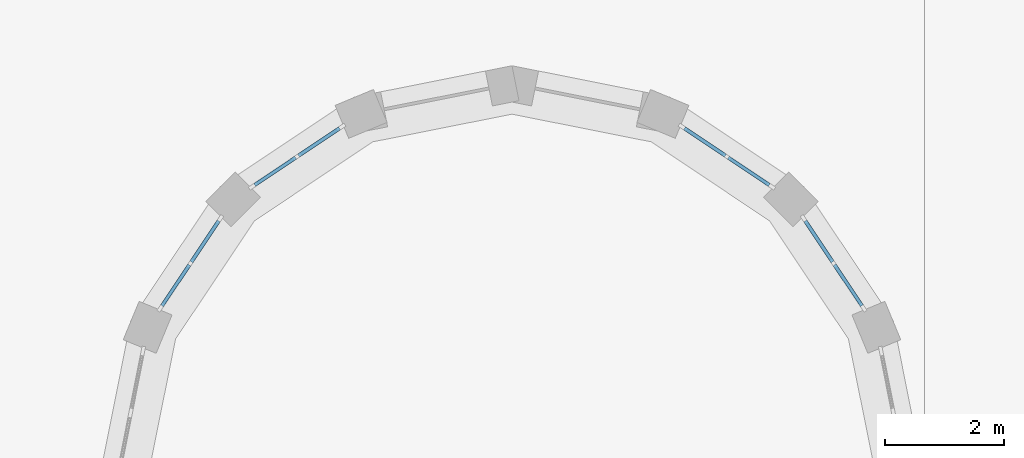
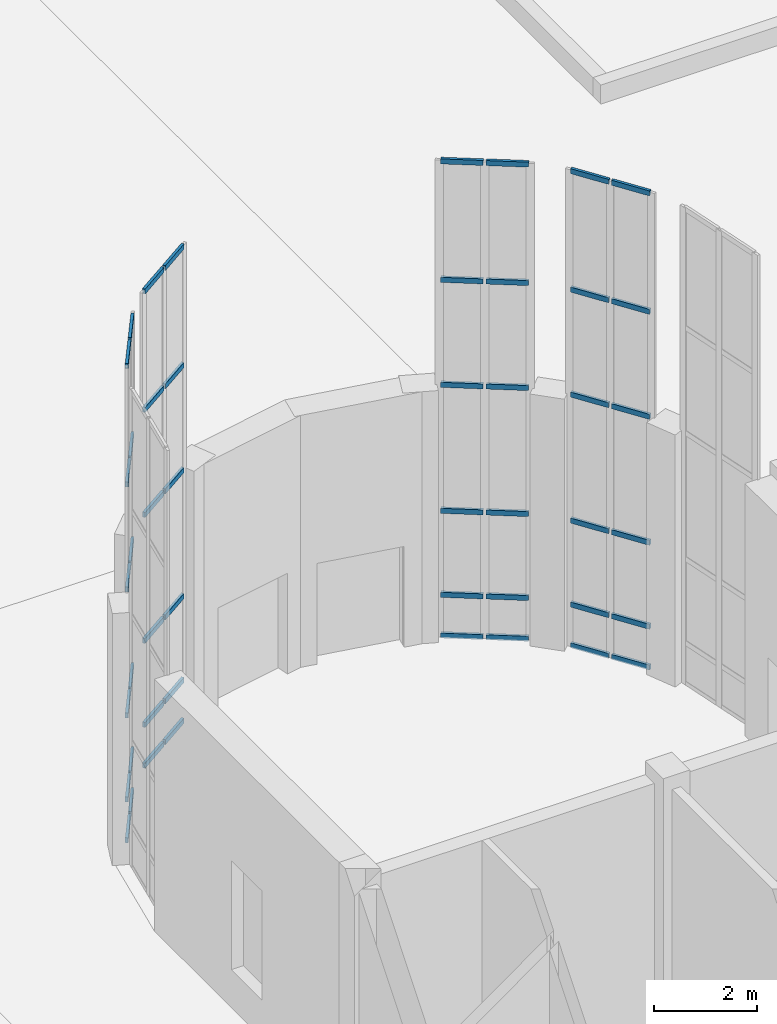
# One storey, part 27 of 70: 48 members, 4 elements without a shape of their own.
"""IFC4 building model written with IfcOpenShell, lengths in metres."""

from ifc_helpers import new_model, si_unit, direction, frame, origin, origin_2d, place, context, subcontext, project, spatial, rectangle, extrude, material, material_profile, profile_set, type_object, element, aggregate, save


model = new_model("IFC4")

# Units and contexts
model_context = context("Model", 3, precision=1e-05, world=origin(), true_north=direction((0.0, 1.0)))
body_context = subcontext(model_context, "Body", "Model", "MODEL_VIEW")
ifc_project = project(units=[si_unit("LENGTHUNIT", "METRE"), si_unit("AREAUNIT", "SQUARE_METRE"), si_unit("VOLUMEUNIT", "CUBIC_METRE"), si_unit("PLANEANGLEUNIT", "RADIAN"), si_unit("MASSUNIT", "GRAM", prefix="KILO")], contexts=[model_context])

# Site, building, storey
site_placement = place(None, origin())
site = spatial("IfcSite", under=ifc_project, at=site_placement, CompositionType="ELEMENT")
building_placement = place(site_placement, origin())
building = spatial("IfcBuilding", under=site, at=building_placement, Name="Vermilion Court Aquatics Centre", CompositionType="ELEMENT")
storey_placement = place(building_placement, origin())
storey = spatial("IfcBuildingStorey", under=building, at=storey_placement, Name="L00", CompositionType="ELEMENT", Elevation=0.0)

# Curtain wall, members
ifc_material_1 = material(Name="Aluminium 6063-T5", Category="aluminium")
curtain_wall_type = type_object("IfcCurtainWallType", Name="Rotunda curtain wall", PredefinedType="NOTDEFINED", material=ifc_material_1)
curtain_wall_1_placement = place(storey_placement, origin())
curtain_wall_1 = element("IfcCurtainWall", 1, at=curtain_wall_1_placement, inside=storey, type_object=curtain_wall_type, Name="Rotunda curtain wall", PredefinedType="NOTDEFINED")
ifc_material_2 = material(Name="Aluminium 6063-T5", Category="aluminium")
ifc_material_profile = material_profile(ifc_material_2, rectangle(XDim=0.06005859375, YDim=0.1201171875, at=origin_2d()), Name="Aluminium 60x120")
ifc_profile_set = profile_set([ifc_material_profile], Name="Aluminium 6063-T5")
member_type = type_object("IfcMemberType", Name="Foyer transom 60x120", PredefinedType="USERDEFINED", material=ifc_profile_set)
member_1_placement = place(storey_placement, frame((1.054443359375, 74.90576171875, 0.030029296875), z_axis=(0.555447180451, 0.831551820231, 0.0), x_axis=(-0.831551820231, 0.555447180451, 0.0)))
member_1 = element("IfcMember", 2, at=member_1_placement, type_object=member_type, Name="HRT8 transom 1.1", ObjectType="TRANSOM", PredefinedType="USERDEFINED", context=body_context, shape_type="SweptSolid", body=[
    extrude(rectangle(XDim=0.06005859375, YDim=0.1201171875, at=origin_2d()), origin(), (0.0, 0.0, 1.0), 0.829345703125),
])
member_2_placement = place(storey_placement, frame((1.054443359375, 74.90576171875, 1.0), z_axis=(0.555447180451, 0.831551820231, 0.0), x_axis=(-0.831551820231, 0.555447180451, 0.0)))
member_2 = element("IfcMember", 3, at=member_2_placement, type_object=member_type, Name="HRT8 transom 1.2", ObjectType="TRANSOM", PredefinedType="USERDEFINED", context=body_context, shape_type="SweptSolid", body=[
    extrude(rectangle(XDim=0.06005859375, YDim=0.1201171875, at=origin_2d()), origin(), (0.0, 0.0, 1.0), 0.829345703125),
])
member_3_placement = place(storey_placement, frame((1.054443359375, 74.90576171875, 3.0), z_axis=(0.555447180451, 0.831551820231, 0.0), x_axis=(-0.831551820231, 0.555447180451, 0.0)))
member_3 = element("IfcMember", 4, at=member_3_placement, type_object=member_type, Name="HRT8 transom 1.3", ObjectType="TRANSOM", PredefinedType="USERDEFINED", context=body_context, shape_type="SweptSolid", body=[
    extrude(rectangle(XDim=0.06005859375, YDim=0.1201171875, at=origin_2d()), origin(), (0.0, 0.0, 1.0), 0.829345703125),
])
member_4_placement = place(storey_placement, frame((1.054443359375, 74.90576171875, 6.0), z_axis=(0.555447180451, 0.831551820231, 0.0), x_axis=(-0.831551820231, 0.555447180451, 0.0)))
member_4 = element("IfcMember", 5, at=member_4_placement, type_object=member_type, Name="HRT8 transom 1.4", ObjectType="TRANSOM", PredefinedType="USERDEFINED", context=body_context, shape_type="SweptSolid", body=[
    extrude(rectangle(XDim=0.06005859375, YDim=0.1201171875, at=origin_2d()), origin(), (0.0, 0.0, 1.0), 0.829345703125),
])
member_5_placement = place(storey_placement, frame((1.054443359375, 74.90576171875, 8.5), z_axis=(0.555447180451, 0.831551820231, 0.0), x_axis=(-0.831551820231, 0.555447180451, 0.0)))
member_5 = element("IfcMember", 6, at=member_5_placement, type_object=member_type, Name="HRT8 transom 1.5", ObjectType="TRANSOM", PredefinedType="USERDEFINED", context=body_context, shape_type="SweptSolid", body=[
    extrude(rectangle(XDim=0.06005859375, YDim=0.1201171875, at=origin_2d()), origin(), (0.0, 0.0, 1.0), 0.829345703125),
])
member_6_placement = place(storey_placement, frame((1.054443359375, 74.90576171875, 11.320068359375), z_axis=(0.555447180451, 0.831551820231, 0.0), x_axis=(-0.831551820231, 0.555447180451, 0.0)))
member_6 = element("IfcMember", 7, at=member_6_placement, type_object=member_type, Name="HRT8 transom 1.6", ObjectType="TRANSOM", PredefinedType="USERDEFINED", context=body_context, shape_type="SweptSolid", body=[
    extrude(rectangle(XDim=0.06005859375, YDim=0.1201171875, at=origin_2d()), origin(), (0.0, 0.0, 1.0), 0.829345703125),
])
member_7_placement = place(storey_placement, frame((1.54833984375, 75.645263671875, 0.030029296875), z_axis=(0.555650670413, 0.831415860126, 0.0), x_axis=(-0.831415860126, 0.555650670413, 0.0)))
member_7 = element("IfcMember", 8, at=member_7_placement, type_object=member_type, Name="HRT8 transom 2.1", ObjectType="TRANSOM", PredefinedType="USERDEFINED", context=body_context, shape_type="SweptSolid", body=[
    extrude(rectangle(XDim=0.06005859375, YDim=0.1201171875, at=origin_2d()), origin(), (0.0, 0.0, 1.0), 0.82958984375),
])
member_8_placement = place(storey_placement, frame((1.54833984375, 75.645263671875, 1.0), z_axis=(0.555650670413, 0.831415860126, 0.0), x_axis=(-0.831415860126, 0.555650670413, 0.0)))
member_8 = element("IfcMember", 9, at=member_8_placement, type_object=member_type, Name="HRT8 transom 2.2", ObjectType="TRANSOM", PredefinedType="USERDEFINED", context=body_context, shape_type="SweptSolid", body=[
    extrude(rectangle(XDim=0.06005859375, YDim=0.1201171875, at=origin_2d()), origin(), (0.0, 0.0, 1.0), 0.82958984375),
])
member_9_placement = place(storey_placement, frame((1.54833984375, 75.645263671875, 3.0), z_axis=(0.555650670413, 0.831415860126, 0.0), x_axis=(-0.831415860126, 0.555650670413, 0.0)))
member_9 = element("IfcMember", 10, at=member_9_placement, type_object=member_type, Name="HRT8 transom 2.3", ObjectType="TRANSOM", PredefinedType="USERDEFINED", context=body_context, shape_type="SweptSolid", body=[
    extrude(rectangle(XDim=0.06005859375, YDim=0.1201171875, at=origin_2d()), origin(), (0.0, 0.0, 1.0), 0.82958984375),
])
member_10_placement = place(storey_placement, frame((1.54833984375, 75.645263671875, 6.0), z_axis=(0.555650670413, 0.831415860126, 0.0), x_axis=(-0.831415860126, 0.555650670413, 0.0)))
member_10 = element("IfcMember", 11, at=member_10_placement, type_object=member_type, Name="HRT8 transom 2.4", ObjectType="TRANSOM", PredefinedType="USERDEFINED", context=body_context, shape_type="SweptSolid", body=[
    extrude(rectangle(XDim=0.06005859375, YDim=0.1201171875, at=origin_2d()), origin(), (0.0, 0.0, 1.0), 0.82958984375),
])
member_11_placement = place(storey_placement, frame((1.54833984375, 75.645263671875, 8.5), z_axis=(0.555650670413, 0.831415860126, 0.0), x_axis=(-0.831415860126, 0.555650670413, 0.0)))
member_11 = element("IfcMember", 12, at=member_11_placement, type_object=member_type, Name="HRT8 transom 2.5", ObjectType="TRANSOM", PredefinedType="USERDEFINED", context=body_context, shape_type="SweptSolid", body=[
    extrude(rectangle(XDim=0.06005859375, YDim=0.1201171875, at=origin_2d()), origin(), (0.0, 0.0, 1.0), 0.82958984375),
])
member_12_placement = place(storey_placement, frame((1.54833984375, 75.645263671875, 11.320068359375), z_axis=(0.555650670413, 0.831415860126, 0.0), x_axis=(-0.831415860126, 0.555650670413, 0.0)))
member_12 = element("IfcMember", 13, at=member_12_placement, type_object=member_type, Name="HRT8 transom 2.6", ObjectType="TRANSOM", PredefinedType="USERDEFINED", context=body_context, shape_type="SweptSolid", body=[
    extrude(rectangle(XDim=0.06005859375, YDim=0.1201171875, at=origin_2d()), origin(), (0.0, 0.0, 1.0), 0.82958984375),
])
aggregate(curtain_wall_1, [member_1, member_2, member_3, member_4, member_5, member_6, member_7, member_8, member_9, member_10, member_11, member_12])

curtain_wall_2_placement = place(storey_placement, origin())
curtain_wall_2 = element("IfcCurtainWall", 14, at=curtain_wall_2_placement, inside=storey, type_object=curtain_wall_type, Name="Rotunda curtain wall", PredefinedType="NOTDEFINED")
member_13_placement = place(storey_placement, frame((2.614990234375, 76.94091796875, 0.030029296875), z_axis=(0.831551820231, 0.555447180451, 0.0), x_axis=(-0.555447180451, 0.831551820231, 0.0)))
member_13 = element("IfcMember", 15, at=member_13_placement, type_object=member_type, Name="HRT8 transom 1.1", ObjectType="TRANSOM", PredefinedType="USERDEFINED", context=body_context, shape_type="SweptSolid", body=[
    extrude(rectangle(XDim=0.06005859375, YDim=0.1201171875, at=origin_2d()), origin(), (0.0, 0.0, 1.0), 0.829345703125),
])
member_14_placement = place(storey_placement, frame((2.614990234375, 76.94091796875, 1.0), z_axis=(0.831551820231, 0.555447180451, 0.0), x_axis=(-0.555447180451, 0.831551820231, 0.0)))
member_14 = element("IfcMember", 16, at=member_14_placement, type_object=member_type, Name="HRT8 transom 1.2", ObjectType="TRANSOM", PredefinedType="USERDEFINED", context=body_context, shape_type="SweptSolid", body=[
    extrude(rectangle(XDim=0.06005859375, YDim=0.1201171875, at=origin_2d()), origin(), (0.0, 0.0, 1.0), 0.829345703125),
])
member_15_placement = place(storey_placement, frame((2.614990234375, 76.94091796875, 3.0), z_axis=(0.831551820231, 0.555447180451, 0.0), x_axis=(-0.555447180451, 0.831551820231, 0.0)))
member_15 = element("IfcMember", 17, at=member_15_placement, type_object=member_type, Name="HRT8 transom 1.3", ObjectType="TRANSOM", PredefinedType="USERDEFINED", context=body_context, shape_type="SweptSolid", body=[
    extrude(rectangle(XDim=0.06005859375, YDim=0.1201171875, at=origin_2d()), origin(), (0.0, 0.0, 1.0), 0.829345703125),
])
member_16_placement = place(storey_placement, frame((2.614990234375, 76.94091796875, 6.0), z_axis=(0.831551820231, 0.555447180451, 0.0), x_axis=(-0.555447180451, 0.831551820231, 0.0)))
member_16 = element("IfcMember", 18, at=member_16_placement, type_object=member_type, Name="HRT8 transom 1.4", ObjectType="TRANSOM", PredefinedType="USERDEFINED", context=body_context, shape_type="SweptSolid", body=[
    extrude(rectangle(XDim=0.06005859375, YDim=0.1201171875, at=origin_2d()), origin(), (0.0, 0.0, 1.0), 0.829345703125),
])
member_17_placement = place(storey_placement, frame((2.614990234375, 76.94091796875, 8.5), z_axis=(0.831551820231, 0.555447180451, 0.0), x_axis=(-0.555447180451, 0.831551820231, 0.0)))
member_17 = element("IfcMember", 19, at=member_17_placement, type_object=member_type, Name="HRT8 transom 1.5", ObjectType="TRANSOM", PredefinedType="USERDEFINED", context=body_context, shape_type="SweptSolid", body=[
    extrude(rectangle(XDim=0.06005859375, YDim=0.1201171875, at=origin_2d()), origin(), (0.0, 0.0, 1.0), 0.829345703125),
])
member_18_placement = place(storey_placement, frame((2.614990234375, 76.94091796875, 11.320068359375), z_axis=(0.831551820231, 0.555447180451, 0.0), x_axis=(-0.555447180451, 0.831551820231, 0.0)))
member_18 = element("IfcMember", 20, at=member_18_placement, type_object=member_type, Name="HRT8 transom 1.6", ObjectType="TRANSOM", PredefinedType="USERDEFINED", context=body_context, shape_type="SweptSolid", body=[
    extrude(rectangle(XDim=0.06005859375, YDim=0.1201171875, at=origin_2d()), origin(), (0.0, 0.0, 1.0), 0.829345703125),
])
member_19_placement = place(storey_placement, frame((3.3544921875, 77.434814453125, 0.030029296875), z_axis=(0.831415860126, 0.555650670413, 0.0), x_axis=(-0.555650670413, 0.831415860126, 0.0)))
member_19 = element("IfcMember", 21, at=member_19_placement, type_object=member_type, Name="HRT8 transom 2.1", ObjectType="TRANSOM", PredefinedType="USERDEFINED", context=body_context, shape_type="SweptSolid", body=[
    extrude(rectangle(XDim=0.06005859375, YDim=0.1201171875, at=origin_2d()), origin(), (0.0, 0.0, 1.0), 0.82958984375),
])
member_20_placement = place(storey_placement, frame((3.3544921875, 77.434814453125, 1.0), z_axis=(0.831415860126, 0.555650670413, 0.0), x_axis=(-0.555650670413, 0.831415860126, 0.0)))
member_20 = element("IfcMember", 22, at=member_20_placement, type_object=member_type, Name="HRT8 transom 2.2", ObjectType="TRANSOM", PredefinedType="USERDEFINED", context=body_context, shape_type="SweptSolid", body=[
    extrude(rectangle(XDim=0.06005859375, YDim=0.1201171875, at=origin_2d()), origin(), (0.0, 0.0, 1.0), 0.82958984375),
])
member_21_placement = place(storey_placement, frame((3.3544921875, 77.434814453125, 3.0), z_axis=(0.831415860126, 0.555650670413, 0.0), x_axis=(-0.555650670413, 0.831415860126, 0.0)))
member_21 = element("IfcMember", 23, at=member_21_placement, type_object=member_type, Name="HRT8 transom 2.3", ObjectType="TRANSOM", PredefinedType="USERDEFINED", context=body_context, shape_type="SweptSolid", body=[
    extrude(rectangle(XDim=0.06005859375, YDim=0.1201171875, at=origin_2d()), origin(), (0.0, 0.0, 1.0), 0.82958984375),
])
member_22_placement = place(storey_placement, frame((3.3544921875, 77.434814453125, 6.0), z_axis=(0.831415860126, 0.555650670413, 0.0), x_axis=(-0.555650670413, 0.831415860126, 0.0)))
member_22 = element("IfcMember", 24, at=member_22_placement, type_object=member_type, Name="HRT8 transom 2.4", ObjectType="TRANSOM", PredefinedType="USERDEFINED", context=body_context, shape_type="SweptSolid", body=[
    extrude(rectangle(XDim=0.06005859375, YDim=0.1201171875, at=origin_2d()), origin(), (0.0, 0.0, 1.0), 0.82958984375),
])
member_23_placement = place(storey_placement, frame((3.3544921875, 77.434814453125, 8.5), z_axis=(0.831415860126, 0.555650670413, 0.0), x_axis=(-0.555650670413, 0.831415860126, 0.0)))
member_23 = element("IfcMember", 25, at=member_23_placement, type_object=member_type, Name="HRT8 transom 2.5", ObjectType="TRANSOM", PredefinedType="USERDEFINED", context=body_context, shape_type="SweptSolid", body=[
    extrude(rectangle(XDim=0.06005859375, YDim=0.1201171875, at=origin_2d()), origin(), (0.0, 0.0, 1.0), 0.82958984375),
])
member_24_placement = place(storey_placement, frame((3.3544921875, 77.434814453125, 11.320068359375), z_axis=(0.831415860126, 0.555650670413, 0.0), x_axis=(-0.555650670413, 0.831415860126, 0.0)))
member_24 = element("IfcMember", 26, at=member_24_placement, type_object=member_type, Name="HRT8 transom 2.6", ObjectType="TRANSOM", PredefinedType="USERDEFINED", context=body_context, shape_type="SweptSolid", body=[
    extrude(rectangle(XDim=0.06005859375, YDim=0.1201171875, at=origin_2d()), origin(), (0.0, 0.0, 1.0), 0.82958984375),
])
aggregate(curtain_wall_2, [member_13, member_14, member_15, member_16, member_17, member_18, member_19, member_20, member_21, member_22, member_23, member_24])

curtain_wall_3_placement = place(storey_placement, origin())
curtain_wall_3 = element("IfcCurtainWall", 27, at=curtain_wall_3_placement, inside=storey, type_object=curtain_wall_type, Name="Rotunda curtain wall", PredefinedType="NOTDEFINED")
member_25_placement = place(storey_placement, frame((9.855712890625, 77.895751953125, 0.030029296875), z_axis=(0.831415860126, -0.555650670413, 0.0), x_axis=(0.555650670413, 0.831415860126, 0.0)))
member_25 = element("IfcMember", 28, at=member_25_placement, type_object=member_type, Name="HRT8 transom 1.1", ObjectType="TRANSOM", PredefinedType="USERDEFINED", context=body_context, shape_type="SweptSolid", body=[
    extrude(rectangle(XDim=0.06005859375, YDim=0.1201171875, at=origin_2d()), origin(), (0.0, 0.0, 1.0), 0.82958984375),
])
member_26_placement = place(storey_placement, frame((9.855712890625, 77.895751953125, 1.0), z_axis=(0.831415860126, -0.555650670413, 0.0), x_axis=(0.555650670413, 0.831415860126, 0.0)))
member_26 = element("IfcMember", 29, at=member_26_placement, type_object=member_type, Name="HRT8 transom 1.2", ObjectType="TRANSOM", PredefinedType="USERDEFINED", context=body_context, shape_type="SweptSolid", body=[
    extrude(rectangle(XDim=0.06005859375, YDim=0.1201171875, at=origin_2d()), origin(), (0.0, 0.0, 1.0), 0.82958984375),
])
member_27_placement = place(storey_placement, frame((9.855712890625, 77.895751953125, 3.0), z_axis=(0.831415860126, -0.555650670413, 0.0), x_axis=(0.555650670413, 0.831415860126, 0.0)))
member_27 = element("IfcMember", 30, at=member_27_placement, type_object=member_type, Name="HRT8 transom 1.3", ObjectType="TRANSOM", PredefinedType="USERDEFINED", context=body_context, shape_type="SweptSolid", body=[
    extrude(rectangle(XDim=0.06005859375, YDim=0.1201171875, at=origin_2d()), origin(), (0.0, 0.0, 1.0), 0.82958984375),
])
member_28_placement = place(storey_placement, frame((9.855712890625, 77.895751953125, 6.0), z_axis=(0.831415860126, -0.555650670413, 0.0), x_axis=(0.555650670413, 0.831415860126, 0.0)))
member_28 = element("IfcMember", 31, at=member_28_placement, type_object=member_type, Name="HRT8 transom 1.4", ObjectType="TRANSOM", PredefinedType="USERDEFINED", context=body_context, shape_type="SweptSolid", body=[
    extrude(rectangle(XDim=0.06005859375, YDim=0.1201171875, at=origin_2d()), origin(), (0.0, 0.0, 1.0), 0.82958984375),
])
member_29_placement = place(storey_placement, frame((9.855712890625, 77.895751953125, 8.5), z_axis=(0.831415860126, -0.555650670413, 0.0), x_axis=(0.555650670413, 0.831415860126, 0.0)))
member_29 = element("IfcMember", 32, at=member_29_placement, type_object=member_type, Name="HRT8 transom 1.5", ObjectType="TRANSOM", PredefinedType="USERDEFINED", context=body_context, shape_type="SweptSolid", body=[
    extrude(rectangle(XDim=0.06005859375, YDim=0.1201171875, at=origin_2d()), origin(), (0.0, 0.0, 1.0), 0.82958984375),
])
member_30_placement = place(storey_placement, frame((9.855712890625, 77.895751953125, 11.320068359375), z_axis=(0.831415860126, -0.555650670413, 0.0), x_axis=(0.555650670413, 0.831415860126, 0.0)))
member_30 = element("IfcMember", 33, at=member_30_placement, type_object=member_type, Name="HRT8 transom 1.6", ObjectType="TRANSOM", PredefinedType="USERDEFINED", context=body_context, shape_type="SweptSolid", body=[
    extrude(rectangle(XDim=0.06005859375, YDim=0.1201171875, at=origin_2d()), origin(), (0.0, 0.0, 1.0), 0.82958984375),
])
member_31_placement = place(storey_placement, frame((10.59521484375, 77.401611328125, 0.030029296875), z_axis=(0.831551820231, -0.555447180451, 0.0), x_axis=(0.555447180451, 0.831551820231, 0.0)))
member_31 = element("IfcMember", 34, at=member_31_placement, type_object=member_type, Name="HRT8 transom 2.1", ObjectType="TRANSOM", PredefinedType="USERDEFINED", context=body_context, shape_type="SweptSolid", body=[
    extrude(rectangle(XDim=0.06005859375, YDim=0.1201171875, at=origin_2d()), origin(), (0.0, 0.0, 1.0), 0.829345703125),
])
member_32_placement = place(storey_placement, frame((10.59521484375, 77.401611328125, 1.0), z_axis=(0.831551820231, -0.555447180451, 0.0), x_axis=(0.555447180451, 0.831551820231, 0.0)))
member_32 = element("IfcMember", 35, at=member_32_placement, type_object=member_type, Name="HRT8 transom 2.2", ObjectType="TRANSOM", PredefinedType="USERDEFINED", context=body_context, shape_type="SweptSolid", body=[
    extrude(rectangle(XDim=0.06005859375, YDim=0.1201171875, at=origin_2d()), origin(), (0.0, 0.0, 1.0), 0.829345703125),
])
member_33_placement = place(storey_placement, frame((10.59521484375, 77.401611328125, 3.0), z_axis=(0.831551820231, -0.555447180451, 0.0), x_axis=(0.555447180451, 0.831551820231, 0.0)))
member_33 = element("IfcMember", 36, at=member_33_placement, type_object=member_type, Name="HRT8 transom 2.3", ObjectType="TRANSOM", PredefinedType="USERDEFINED", context=body_context, shape_type="SweptSolid", body=[
    extrude(rectangle(XDim=0.06005859375, YDim=0.1201171875, at=origin_2d()), origin(), (0.0, 0.0, 1.0), 0.829345703125),
])
member_34_placement = place(storey_placement, frame((10.59521484375, 77.401611328125, 6.0), z_axis=(0.831551820231, -0.555447180451, 0.0), x_axis=(0.555447180451, 0.831551820231, 0.0)))
member_34 = element("IfcMember", 37, at=member_34_placement, type_object=member_type, Name="HRT8 transom 2.4", ObjectType="TRANSOM", PredefinedType="USERDEFINED", context=body_context, shape_type="SweptSolid", body=[
    extrude(rectangle(XDim=0.06005859375, YDim=0.1201171875, at=origin_2d()), origin(), (0.0, 0.0, 1.0), 0.829345703125),
])
member_35_placement = place(storey_placement, frame((10.59521484375, 77.401611328125, 8.5), z_axis=(0.831551820231, -0.555447180451, 0.0), x_axis=(0.555447180451, 0.831551820231, 0.0)))
member_35 = element("IfcMember", 38, at=member_35_placement, type_object=member_type, Name="HRT8 transom 2.5", ObjectType="TRANSOM", PredefinedType="USERDEFINED", context=body_context, shape_type="SweptSolid", body=[
    extrude(rectangle(XDim=0.06005859375, YDim=0.1201171875, at=origin_2d()), origin(), (0.0, 0.0, 1.0), 0.829345703125),
])
member_36_placement = place(storey_placement, frame((10.59521484375, 77.401611328125, 11.320068359375), z_axis=(0.831551820231, -0.555447180451, 0.0), x_axis=(0.555447180451, 0.831551820231, 0.0)))
member_36 = element("IfcMember", 39, at=member_36_placement, type_object=member_type, Name="HRT8 transom 2.6", ObjectType="TRANSOM", PredefinedType="USERDEFINED", context=body_context, shape_type="SweptSolid", body=[
    extrude(rectangle(XDim=0.06005859375, YDim=0.1201171875, at=origin_2d()), origin(), (0.0, 0.0, 1.0), 0.829345703125),
])
aggregate(curtain_wall_3, [member_25, member_26, member_27, member_28, member_29, member_30, member_31, member_32, member_33, member_34, member_35, member_36])

curtain_wall_4_placement = place(storey_placement, origin())
curtain_wall_4 = element("IfcCurtainWall", 40, at=curtain_wall_4_placement, inside=storey, type_object=curtain_wall_type, Name="Rotunda curtain wall", PredefinedType="NOTDEFINED")
member_37_placement = place(storey_placement, frame((11.890869140625, 76.3349609375, 0.030029296875), z_axis=(0.555447180451, -0.831551820231, 0.0), x_axis=(0.831551820231, 0.555447180451, 0.0)))
member_37 = element("IfcMember", 41, at=member_37_placement, type_object=member_type, Name="HRT8 transom 1.1", ObjectType="TRANSOM", PredefinedType="USERDEFINED", context=body_context, shape_type="SweptSolid", body=[
    extrude(rectangle(XDim=0.06005859375, YDim=0.1201171875, at=origin_2d()), origin(), (0.0, 0.0, 1.0), 0.829345703125),
])
member_38_placement = place(storey_placement, frame((11.890869140625, 76.3349609375, 1.0), z_axis=(0.555447180451, -0.831551820231, 0.0), x_axis=(0.831551820231, 0.555447180451, 0.0)))
member_38 = element("IfcMember", 42, at=member_38_placement, type_object=member_type, Name="HRT8 transom 1.2", ObjectType="TRANSOM", PredefinedType="USERDEFINED", context=body_context, shape_type="SweptSolid", body=[
    extrude(rectangle(XDim=0.06005859375, YDim=0.1201171875, at=origin_2d()), origin(), (0.0, 0.0, 1.0), 0.829345703125),
])
member_39_placement = place(storey_placement, frame((11.890869140625, 76.3349609375, 3.0), z_axis=(0.555447180451, -0.831551820231, 0.0), x_axis=(0.831551820231, 0.555447180451, 0.0)))
member_39 = element("IfcMember", 43, at=member_39_placement, type_object=member_type, Name="HRT8 transom 1.3", ObjectType="TRANSOM", PredefinedType="USERDEFINED", context=body_context, shape_type="SweptSolid", body=[
    extrude(rectangle(XDim=0.06005859375, YDim=0.1201171875, at=origin_2d()), origin(), (0.0, 0.0, 1.0), 0.829345703125),
])
member_40_placement = place(storey_placement, frame((11.890869140625, 76.3349609375, 6.0), z_axis=(0.555447180451, -0.831551820231, 0.0), x_axis=(0.831551820231, 0.555447180451, 0.0)))
member_40 = element("IfcMember", 44, at=member_40_placement, type_object=member_type, Name="HRT8 transom 1.4", ObjectType="TRANSOM", PredefinedType="USERDEFINED", context=body_context, shape_type="SweptSolid", body=[
    extrude(rectangle(XDim=0.06005859375, YDim=0.1201171875, at=origin_2d()), origin(), (0.0, 0.0, 1.0), 0.829345703125),
])
member_41_placement = place(storey_placement, frame((11.890869140625, 76.3349609375, 8.5), z_axis=(0.555447180451, -0.831551820231, 0.0), x_axis=(0.831551820231, 0.555447180451, 0.0)))
member_41 = element("IfcMember", 45, at=member_41_placement, type_object=member_type, Name="HRT8 transom 1.5", ObjectType="TRANSOM", PredefinedType="USERDEFINED", context=body_context, shape_type="SweptSolid", body=[
    extrude(rectangle(XDim=0.06005859375, YDim=0.1201171875, at=origin_2d()), origin(), (0.0, 0.0, 1.0), 0.829345703125),
])
member_42_placement = place(storey_placement, frame((11.890869140625, 76.3349609375, 11.320068359375), z_axis=(0.555447180451, -0.831551820231, 0.0), x_axis=(0.831551820231, 0.555447180451, 0.0)))
member_42 = element("IfcMember", 46, at=member_42_placement, type_object=member_type, Name="HRT8 transom 1.6", ObjectType="TRANSOM", PredefinedType="USERDEFINED", context=body_context, shape_type="SweptSolid", body=[
    extrude(rectangle(XDim=0.06005859375, YDim=0.1201171875, at=origin_2d()), origin(), (0.0, 0.0, 1.0), 0.829345703125),
])
member_43_placement = place(storey_placement, frame((12.385009765625, 75.595458984375, 0.030029296875), z_axis=(0.555447180451, -0.831551820231, 0.0), x_axis=(0.831551820231, 0.555447180451, 0.0)))
member_43 = element("IfcMember", 47, at=member_43_placement, type_object=member_type, Name="HRT8 transom 2.1", ObjectType="TRANSOM", PredefinedType="USERDEFINED", context=body_context, shape_type="SweptSolid", body=[
    extrude(rectangle(XDim=0.06005859375, YDim=0.1201171875, at=origin_2d()), origin(), (0.0, 0.0, 1.0), 0.829345703125),
])
member_44_placement = place(storey_placement, frame((12.385009765625, 75.595458984375, 1.0), z_axis=(0.555447180451, -0.831551820231, 0.0), x_axis=(0.831551820231, 0.555447180451, 0.0)))
member_44 = element("IfcMember", 48, at=member_44_placement, type_object=member_type, Name="HRT8 transom 2.2", ObjectType="TRANSOM", PredefinedType="USERDEFINED", context=body_context, shape_type="SweptSolid", body=[
    extrude(rectangle(XDim=0.06005859375, YDim=0.1201171875, at=origin_2d()), origin(), (0.0, 0.0, 1.0), 0.829345703125),
])
member_45_placement = place(storey_placement, frame((12.385009765625, 75.595458984375, 3.0), z_axis=(0.555447180451, -0.831551820231, 0.0), x_axis=(0.831551820231, 0.555447180451, 0.0)))
member_45 = element("IfcMember", 49, at=member_45_placement, type_object=member_type, Name="HRT8 transom 2.3", ObjectType="TRANSOM", PredefinedType="USERDEFINED", context=body_context, shape_type="SweptSolid", body=[
    extrude(rectangle(XDim=0.06005859375, YDim=0.1201171875, at=origin_2d()), origin(), (0.0, 0.0, 1.0), 0.829345703125),
])
member_46_placement = place(storey_placement, frame((12.385009765625, 75.595458984375, 6.0), z_axis=(0.555447180451, -0.831551820231, 0.0), x_axis=(0.831551820231, 0.555447180451, 0.0)))
member_46 = element("IfcMember", 50, at=member_46_placement, type_object=member_type, Name="HRT8 transom 2.4", ObjectType="TRANSOM", PredefinedType="USERDEFINED", context=body_context, shape_type="SweptSolid", body=[
    extrude(rectangle(XDim=0.06005859375, YDim=0.1201171875, at=origin_2d()), origin(), (0.0, 0.0, 1.0), 0.829345703125),
])
member_47_placement = place(storey_placement, frame((12.385009765625, 75.595458984375, 8.5), z_axis=(0.555447180451, -0.831551820231, 0.0), x_axis=(0.831551820231, 0.555447180451, 0.0)))
member_47 = element("IfcMember", 51, at=member_47_placement, type_object=member_type, Name="HRT8 transom 2.5", ObjectType="TRANSOM", PredefinedType="USERDEFINED", context=body_context, shape_type="SweptSolid", body=[
    extrude(rectangle(XDim=0.06005859375, YDim=0.1201171875, at=origin_2d()), origin(), (0.0, 0.0, 1.0), 0.829345703125),
])
member_48_placement = place(storey_placement, frame((12.385009765625, 75.595458984375, 11.320068359375), z_axis=(0.555447180451, -0.831551820231, 0.0), x_axis=(0.831551820231, 0.555447180451, 0.0)))
member_48 = element("IfcMember", 52, at=member_48_placement, type_object=member_type, Name="HRT8 transom 2.6", ObjectType="TRANSOM", PredefinedType="USERDEFINED", context=body_context, shape_type="SweptSolid", body=[
    extrude(rectangle(XDim=0.06005859375, YDim=0.1201171875, at=origin_2d()), origin(), (0.0, 0.0, 1.0), 0.829345703125),
])
aggregate(curtain_wall_4, [member_37, member_38, member_39, member_40, member_41, member_42, member_43, member_44, member_45, member_46, member_47, member_48])

save(model, "model.ifc")
